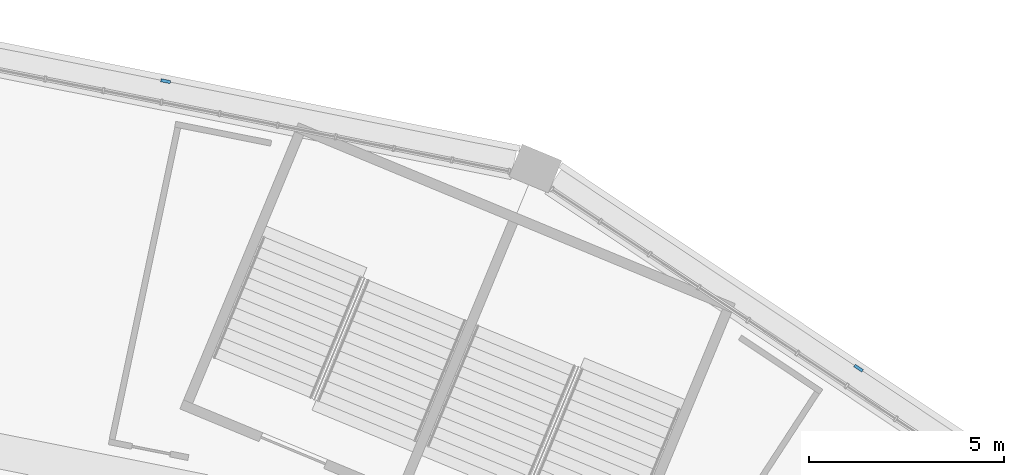
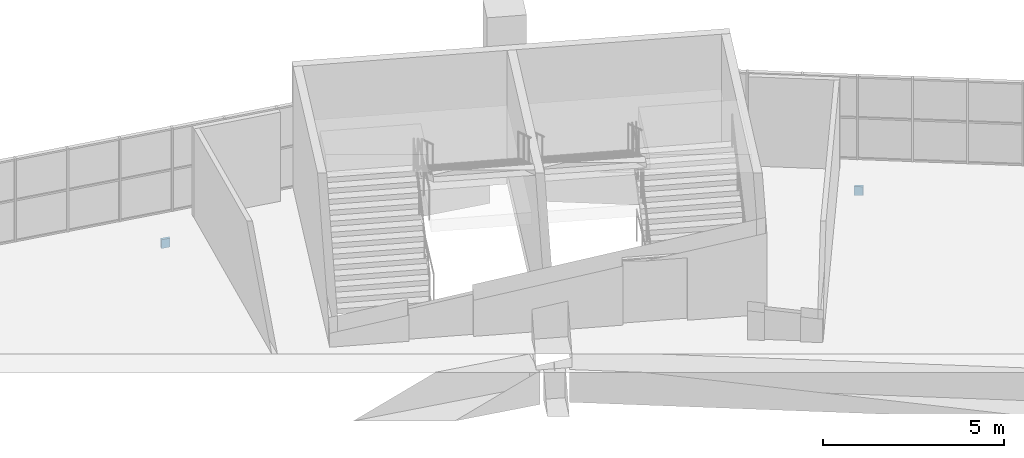
# One storey, part 105 of 199: 2 discrete accessories.
"""IFC4 building model written with IfcOpenShell, lengths in metres."""

from ifc_helpers import new_model, si_unit, direction, frame, origin, origin_2d, place, context, subcontext, project, spatial, rectangle, extrude, material, layer, layer_set, type_object, element, save


model = new_model("IFC4")

# Units and contexts
model_context = context("Model", 3, precision=1e-05, world=origin(), true_north=direction((0.0, 1.0)))
body_context = subcontext(model_context, "Body", "Model", "MODEL_VIEW")
ifc_project = project(units=[si_unit("LENGTHUNIT", "METRE"), si_unit("AREAUNIT", "SQUARE_METRE"), si_unit("VOLUMEUNIT", "CUBIC_METRE"), si_unit("PLANEANGLEUNIT", "RADIAN"), si_unit("MASSUNIT", "GRAM", prefix="KILO")], contexts=[model_context])

# Site, building, storey
site_placement = place(None, origin())
site = spatial("IfcSite", under=ifc_project, at=site_placement, CompositionType="ELEMENT")
building_placement = place(site_placement, origin())
building = spatial("IfcBuilding", under=site, at=building_placement, Name="Ogive Plaza Stadium", CompositionType="ELEMENT")
storey_placement = place(building_placement, frame((0.0, 0.0, 4.5)))
storey = spatial("IfcBuildingStorey", under=building, at=storey_placement, Name="L01", CompositionType="ELEMENT", Elevation=4.5)

# Discrete accessories
ifc_material = material(Name="Steel ASTM A572 Grade 50", Category="steel")
ifc_layer = layer(ifc_material, 0.080078125)
ifc_layer_set = layer_set([ifc_layer], Name="Steel ASTM A572 Grade 50")
discrete_accessory_type = type_object("IfcDiscreteAccessoryType", Name="Spandrel cladding bracket 250x300", PredefinedType="BRACKET", material=ifc_layer_set)
for number, where, z_axis, x_axis, name in (
    (1, (43.635498046875, 100.940185546875, -1.60986328125), (0.0, 0.0, 1.0), (0.980785280413, -0.195090321965, 0.0), "SPANDREL BRACKET B37 L01"),
    (2, (61.439208984375, 93.565673828125, -1.60986328125), (0.0, 0.0, 1.0), (0.831469612312, -0.555570233005, 0.0), "SPANDREL BRACKET B38 L01"),
):
    element("IfcDiscreteAccessory", number, at=place(storey_placement, frame(where, z_axis=z_axis, x_axis=x_axis)), inside=storey, type_object=discrete_accessory_type, Name=name, PredefinedType="BRACKET", context=body_context, shape_type="SweptSolid", body=[
        extrude(rectangle(XDim=0.25, YDim=0.080078125, at=origin_2d()), origin(), (0.0, 0.0, 1.0), 0.300048828125),
    ])

save(model, "model.ifc")
